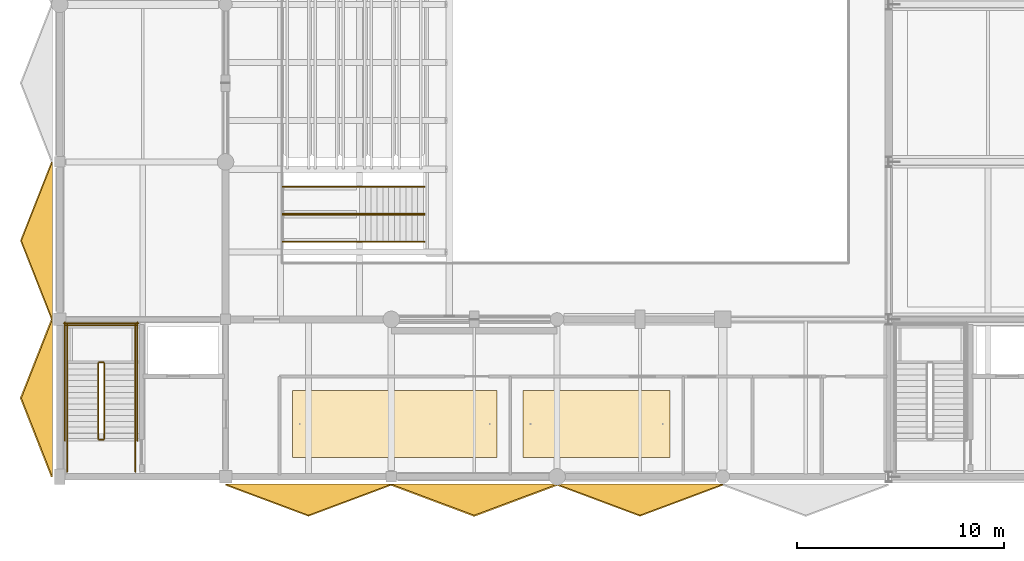
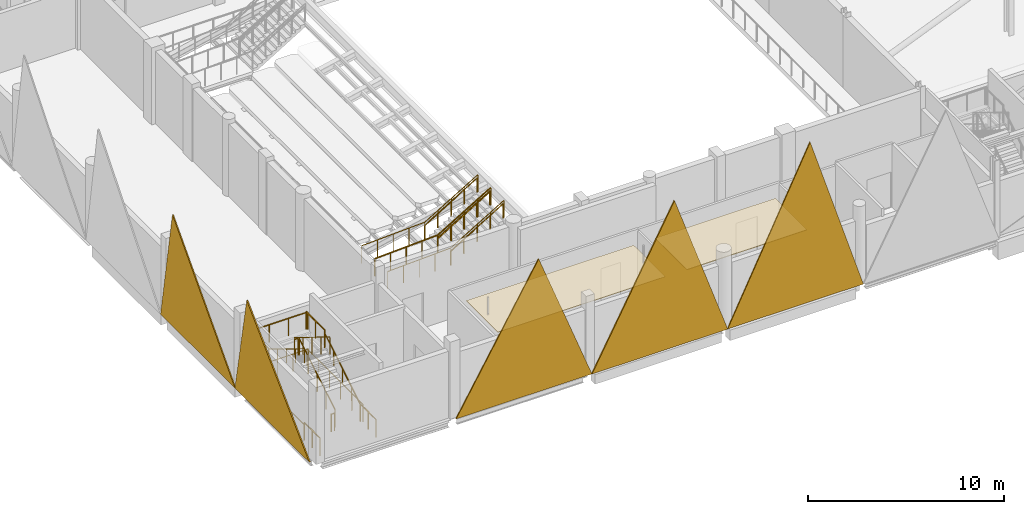
# One storey, part 127 of 141: 22 railings, 7 coverings.
"""IFC4 building model written with IfcOpenShell, lengths in metres."""

from ifc_helpers import new_model, si_unit, direction, frame, origin, origin_2d, place, context, subcontext, project, spatial, polyline, circle, outline, extrude, material, layer, layer_set, type_object, element, save


model = new_model("IFC4")

# Units and contexts
model_context = context("Model", 3, precision=1e-05, world=origin(), true_north=direction((0.0, 1.0)))
body_context = subcontext(model_context, "Body", "Model", "MODEL_VIEW")
ifc_project = project(units=[si_unit("LENGTHUNIT", "METRE"), si_unit("AREAUNIT", "SQUARE_METRE"), si_unit("VOLUMEUNIT", "CUBIC_METRE"), si_unit("PLANEANGLEUNIT", "RADIAN"), si_unit("MASSUNIT", "GRAM", prefix="KILO")], contexts=[model_context])

# Site, building, storey
site_placement = place(None, origin())
site = spatial("IfcSite", under=ifc_project, at=site_placement, CompositionType="ELEMENT")
building_placement = place(site_placement, origin())
building = spatial("IfcBuilding", under=site, at=building_placement, Name="Khelvaren Railside Concert Hall", CompositionType="ELEMENT")
storey_placement = place(building_placement, frame((0.0, 0.0, 10.199951171875)))
storey = spatial("IfcBuildingStorey", under=building, at=storey_placement, Name="L02", CompositionType="ELEMENT", Elevation=10.199951171875)

# Coverings
ifc_material_1 = material(Name="Precast architectural concrete C45/55", Category="concrete")
ifc_layer_1 = layer(ifc_material_1, 0.06005859375)
ifc_layer_set_1 = layer_set([ifc_layer_1], Name="Precast architectural concrete C45/55")
covering_type_1 = type_object("IfcCoveringType", Name="CLD31", PredefinedType="CLADDING", material=ifc_layer_set_1)
covering_1_placement = place(storey_placement, frame((8.0, -0.35498046875, 0.0), z_axis=(0.0, 0.987767094145, 0.15593642206), x_axis=(1.0, 0.0, 0.0)))
element("IfcCovering", 1, at=covering_1_placement, inside=storey, type_object=covering_type_1, Name="Main Hall Cut-Crystal Lower Facet S-2", PredefinedType="CLADDING", context=body_context, shape_type="SweptSolid", body=[
    extrude(outline(polyline([(0.0, 0.0), (8.0, 0.0), (4.0, -9.58799213006783), (0.0, 0.0)])), origin(), (0.0, 0.0, -1.0), 0.06005859375),
])
covering_2_placement = place(storey_placement, frame((24.0, -0.35498046875, 0.0), z_axis=(0.0, 0.991125998489, 0.1329257504), x_axis=(1.0, 0.0, 0.0)))
element("IfcCovering", 2, at=covering_2_placement, inside=storey, type_object=covering_type_1, Name="Main Hall Cut-Crystal Lower Facet S-4", PredefinedType="CLADDING", context=body_context, shape_type="SweptSolid", body=[
    extrude(outline(polyline([(0.0, 0.0), (8.0, 0.0), (4.0, -11.247761874621398), (0.0, 0.0)])), origin(), (0.0, 0.0, -1.0), 0.06005859375),
])
covering_3_placement = place(storey_placement, frame((-0.35498046875, 7.60009765625, 0.0), z_axis=(0.986559998498, 0.0, 0.163399416655), x_axis=(0.0, 1.0, 0.0)))
element("IfcCovering", 3, at=covering_3_placement, inside=storey, type_object=covering_type_1, Name="Main Hall Cut-Crystal West Lower Facet 2", PredefinedType="CLADDING", context=body_context, shape_type="SweptSolid", body=[
    extrude(outline(polyline([(0.0, 0.0), (7.599853515625, 0.0), (3.7998046875, 9.150076653336637), (0.0, 0.0)])), origin(), (0.0, 0.0, -1.0), 0.06005859375),
])
ifc_material_2 = material(Name="Board-marked precast concrete C45/55", Category="concrete")
ifc_layer_2 = layer(ifc_material_2, 0.070068359375)
ifc_layer_set_2 = layer_set([ifc_layer_2], Name="Board-marked precast concrete C45/55")
covering_type_2 = type_object("IfcCoveringType", Name="CLD68", PredefinedType="CLADDING", material=ifc_layer_set_2)
covering_4_placement = place(storey_placement, frame((16.0, -0.35498046875, 0.0), z_axis=(0.0, 0.989646805502, 0.143524215239), x_axis=(1.0, 0.0, 0.0)))
element("IfcCovering", 4, at=covering_4_placement, inside=storey, type_object=covering_type_2, Name="Main Hall Cut-Crystal Lower Facet S-3", PredefinedType="CLADDING", context=body_context, shape_type="SweptSolid", body=[
    extrude(outline(polyline([(0.0, 0.0), (8.0, 0.0), (4.0, -10.417177233899055), (0.0, 0.0)])), origin(), (0.0, 0.0, -1.0), 0.070068359375),
])
covering_5_placement = place(storey_placement, frame((-0.35498046875, 0.0, 0.0), z_axis=(0.98416040149, 0.0, 0.177280298224), x_axis=(0.0, 1.0, 0.0)))
element("IfcCovering", 5, at=covering_5_placement, inside=storey, type_object=covering_type_2, Name="Main Hall Cut-Crystal West Lower Facet 1", PredefinedType="CLADDING", context=body_context, shape_type="SweptSolid", body=[
    extrude(outline(polyline([(0.0, 0.0), (7.60009765625, 0.0), (3.800048828125, 8.433634207956679), (0.0, 0.0)])), origin(), (0.0, 0.0, -1.0), 0.070068359375),
])
ifc_material_3 = material(Name="Mineral-wool acoustic baffle ceiling", Category="gypsum")
ifc_layer_3 = layer(ifc_material_3, 0.0400390625)
ifc_layer_set_3 = layer_set([ifc_layer_3], Name="Mineral-wool acoustic baffle ceiling")
covering_type_3 = type_object("IfcCoveringType", Name="CLG20", PredefinedType="CEILING", material=ifc_layer_set_3)
covering_6_placement = place(storey_placement, frame((0.0, 0.0, 3.41015625)))
element("IfcCovering", 6, at=covering_6_placement, inside=storey, type_object=covering_type_3, Name="Suspended Acoustic Ceiling Symphonic Listening Archive Booth", PredefinedType="CEILING", context=body_context, shape_type="SweptSolid", body=[
    extrude(outline(polyline([(22.364013671875, 0.929931640625), (29.455078125, 0.929931640625), (29.455078125, 4.169921875), (22.364013671875, 4.169921875), (22.364013671875, 0.929931640625)])), origin(), (0.0, 0.0, 1.0), 0.039794921875),
])
ifc_material_4 = material(Name="Micro-perforated timber acoustic ceiling", Category="wood")
ifc_layer_4 = layer(ifc_material_4, 0.030029296875)
ifc_layer_set_4 = layer_set([ifc_layer_4], Name="Micro-perforated timber acoustic ceiling")
covering_type_4 = type_object("IfcCoveringType", Name="CLG77", PredefinedType="CEILING", material=ifc_layer_set_4)
covering_7_placement = place(storey_placement, frame((0.0, 0.0, 3.420166015625)))
element("IfcCovering", 7, at=covering_7_placement, inside=storey, type_object=covering_type_4, Name="Suspended Acoustic Ceiling Upper Gallery Sky Bar", PredefinedType="CEILING", context=body_context, shape_type="SweptSolid", body=[
    extrude(outline(polyline([(11.22998046875, 0.929931640625), (21.10400390625, 0.929931640625), (21.10400390625, 4.169921875), (11.22998046875, 4.169921875), (11.22998046875, 0.929931640625)])), origin(), (0.0, 0.0, 1.0), 0.02978515625),
])

# Railings
ifc_material_5 = material(Name="Painted architectural steel", Category="steel")
railing_type_1 = type_object("IfcRailingType", Name="GRD86", PredefinedType="GUARDRAIL", material=ifc_material_5)
railing_1_placement = place(storey_placement, frame((2.14990234375, 1.840087890625, 0.17138671875)))
element("IfcRailing", 8, at=railing_1_placement, inside=storey, type_object=railing_type_1, Name="L02 ST-01 stair guard 1", PredefinedType="GUARDRAIL", context=body_context, shape_type="SweptSolid", body=[
    extrude(circle(Radius=0.02392578125, at=origin_2d()), frame((0.0, 0.0, 1.076171875), z_axis=(0.0, 0.852824790078, 0.522197163366), x_axis=(-1.0, 0.0, 0.0)), (0.0, 0.0, 1.0), 4.26806640625),
    extrude(circle(Radius=0.02099609375, at=origin_2d()), origin(), (0.0, 0.0, 1.0), 1.052001953125),
    extrude(circle(Radius=0.02099609375, at=origin_2d()), frame((0.0, 0.909912109375, 0.55712890625)), (0.0, 0.0, 1.0), 1.052001953125),
    extrude(circle(Radius=0.02099609375, at=origin_2d()), frame((0.0, 1.81982421875, 1.1142578125)), (0.0, 0.0, 1.0), 1.052001953125),
    extrude(circle(Radius=0.02099609375, at=origin_2d()), frame((0.0, 2.72998046875, 1.671630859375)), (0.0, 0.0, 1.0), 1.052001953125),
    extrude(circle(Radius=0.02099609375, at=origin_2d()), frame((0.0, 3.639892578125, 2.228759765625)), (0.0, 0.0, 1.0), 1.052001953125),
])
railing_2_placement = place(storey_placement, frame((2.10009765625, 5.530029296875, 2.400146484375)))
element("IfcRailing", 9, at=railing_2_placement, inside=storey, type_object=railing_type_1, Name="L02 ST-01 stair guard 2", PredefinedType="GUARDRAIL", context=body_context, shape_type="SweptSolid", body=[
    extrude(circle(Radius=0.02392578125, at=origin_2d()), frame((0.0, 0.0, 1.076171875), z_axis=(-1.0, 0.0, 0.0), x_axis=(0.0, -1.0, 0.0)), (0.0, 0.0, 1.0), 0.2001953125),
    extrude(circle(Radius=0.02099609375, at=origin_2d()), origin(), (0.0, 0.0, 1.0), 1.052001953125),
    extrude(circle(Radius=0.02099609375, at=origin_2d()), frame((-0.2001953125, 0.0, 0.0)), (0.0, 0.0, 1.0), 1.052001953125),
])
for number, where, name in (
    (10, (3.64990234375, 5.47998046875, 2.400146484375), "L02 ST-01 stair guard 3"),
    (11, (0.35009765625, 5.47998046875, 2.400146484375), "L02 ST-01 stair guard 4"),
):
    element("IfcRailing", number, at=place(storey_placement, frame(where)), inside=storey, type_object=railing_type_1, Name=name, PredefinedType="GUARDRAIL", context=body_context, shape_type="SweptSolid", body=[
        extrude(circle(Radius=0.02392578125, at=origin_2d()), frame((0.0, 0.0, 1.076171875), z_axis=(0.0, 1.0, 0.0), x_axis=(-1.0, 0.0, 0.0)), (0.0, 0.0, 1.0), 1.880126953125),
        extrude(circle(Radius=0.02099609375, at=origin_2d()), origin(), (0.0, 0.0, 1.0), 1.052001953125),
        extrude(circle(Radius=0.02099609375, at=origin_2d()), frame((0.0, 0.93994140625, 0.0)), (0.0, 0.0, 1.0), 1.052001953125),
        extrude(circle(Radius=0.02099609375, at=origin_2d()), frame((0.0, 1.880126953125, 0.0)), (0.0, 0.0, 1.0), 1.052001953125),
    ])
railing_3_placement = place(storey_placement, frame((3.699951171875, 7.31005859375, 2.400146484375)))
element("IfcRailing", 12, at=railing_3_placement, inside=storey, type_object=railing_type_1, Name="L02 ST-01 stair guard 5", PredefinedType="GUARDRAIL", context=body_context, shape_type="SweptSolid", body=[
    extrude(circle(Radius=0.02392578125, at=origin_2d()), frame((0.0, 0.0, 1.076171875), z_axis=(-1.0, 0.0, 0.0), x_axis=(0.0, -1.0, 0.0)), (0.0, 0.0, 1.0), 3.39990234375),
    extrude(circle(Radius=0.02099609375, at=origin_2d()), origin(), (0.0, 0.0, 1.0), 1.052001953125),
    extrude(circle(Radius=0.02099609375, at=origin_2d()), frame((-1.13330078125, 0.0, 0.0)), (0.0, 0.0, 1.0), 1.052001953125),
    extrude(circle(Radius=0.02099609375, at=origin_2d()), frame((-2.2666015625, 0.0, 0.0)), (0.0, 0.0, 1.0), 1.052001953125),
    extrude(circle(Radius=0.02099609375, at=origin_2d()), frame((-3.39990234375, 0.0, 0.0)), (0.0, 0.0, 1.0), 1.052001953125),
])
railing_4_placement = place(storey_placement, frame((1.85009765625, 5.47998046875, 2.571533203125)))
element("IfcRailing", 13, at=railing_4_placement, inside=storey, type_object=railing_type_1, Name="L02 ST-01 stair guard 6", PredefinedType="GUARDRAIL", context=body_context, shape_type="SweptSolid", body=[
    extrude(circle(Radius=0.02392578125, at=origin_2d()), frame((0.0, 0.0, 1.076171875), z_axis=(0.0, -0.852850264322, 0.5221555579), x_axis=(1.0, 0.0, 0.0)), (0.0, 0.0, 1.0), 4.267822265625),
    extrude(circle(Radius=0.02099609375, at=origin_2d()), origin(), (0.0, 0.0, 1.0), 1.052001953125),
    extrude(circle(Radius=0.02099609375, at=origin_2d()), frame((0.0, -0.909912109375, 0.55712890625)), (0.0, 0.0, 1.0), 1.052001953125),
    extrude(circle(Radius=0.02099609375, at=origin_2d()), frame((0.0, -1.81982421875, 1.1142578125)), (0.0, 0.0, 1.0), 1.052001953125),
    extrude(circle(Radius=0.02099609375, at=origin_2d()), frame((0.0, -2.72998046875, 1.67138671875)), (0.0, 0.0, 1.0), 1.052001953125),
    extrude(circle(Radius=0.02099609375, at=origin_2d()), frame((0.0, -3.639892578125, 2.228515625)), (0.0, 0.0, 1.0), 1.052001953125),
])
railing_5_placement = place(storey_placement, frame((2.10009765625, 1.7900390625, 0.0)))
element("IfcRailing", 14, at=railing_5_placement, inside=storey, type_object=railing_type_1, Name="L02 ST-01 stair guard 7", PredefinedType="GUARDRAIL", context=body_context, shape_type="SweptSolid", body=[
    extrude(circle(Radius=0.02392578125, at=origin_2d()), frame((0.0, 0.0, 1.076171875), z_axis=(-1.0, 0.0, 0.0), x_axis=(0.0, -1.0, 0.0)), (0.0, 0.0, 1.0), 0.2001953125),
    extrude(circle(Radius=0.02099609375, at=origin_2d()), origin(), (0.0, 0.0, 1.0), 1.052001953125),
    extrude(circle(Radius=0.02099609375, at=origin_2d()), frame((-0.2001953125, 0.0, 0.0)), (0.0, 0.0, 1.0), 1.052001953125),
])
for number, where, name in (
    (15, (3.64990234375, 0.239990234375, 0.0), "L02 ST-01 stair guard 8"),
    (16, (0.35009765625, 0.239990234375, 0.0), "L02 ST-01 stair guard 9"),
):
    element("IfcRailing", number, at=place(storey_placement, frame(where)), inside=storey, type_object=railing_type_1, Name=name, PredefinedType="GUARDRAIL", context=body_context, shape_type="SweptSolid", body=[
        extrude(circle(Radius=0.02392578125, at=origin_2d()), frame((0.0, 0.0, 1.076171875), z_axis=(0.0, 1.0, 0.0), x_axis=(-1.0, 0.0, 0.0)), (0.0, 0.0, 1.0), 1.60009765625),
        extrude(circle(Radius=0.02099609375, at=origin_2d()), origin(), (0.0, 0.0, 1.0), 1.052001953125),
        extrude(circle(Radius=0.02099609375, at=origin_2d()), frame((0.0, 0.800048828125, 0.0)), (0.0, 0.0, 1.0), 1.052001953125),
        extrude(circle(Radius=0.02099609375, at=origin_2d()), frame((0.0, 1.60009765625, 0.0)), (0.0, 0.0, 1.0), 1.052001953125),
    ])
for number, where, name in (
    (17, (3.75, 1.739990234375, 0.0), "L02 ST-01 stair guard 10"),
    (18, (0.25, 1.739990234375, 0.0), "L02 ST-01 stair guard 11"),
):
    element("IfcRailing", number, at=place(storey_placement, frame(where)), inside=storey, type_object=railing_type_1, Name=name, PredefinedType="GUARDRAIL", context=body_context, shape_type="SweptSolid", body=[
        extrude(circle(Radius=0.02392578125, at=origin_2d()), frame((0.0, 0.0, 1.076171875), z_axis=(0.0, 1.0, 0.0), x_axis=(-1.0, 0.0, 0.0)), (0.0, 0.0, 1.0), 5.719970703125),
        extrude(circle(Radius=0.02099609375, at=origin_2d()), origin(), (0.0, 0.0, 1.0), 1.052001953125),
        extrude(circle(Radius=0.02099609375, at=origin_2d()), frame((0.0, 1.14404296875, 0.0)), (0.0, 0.0, 1.0), 1.052001953125),
        extrude(circle(Radius=0.02099609375, at=origin_2d()), frame((0.0, 2.2880859375, 0.0)), (0.0, 0.0, 1.0), 1.052001953125),
        extrude(circle(Radius=0.02099609375, at=origin_2d()), frame((0.0, 3.431884765625, 0.0)), (0.0, 0.0, 1.0), 1.052001953125),
        extrude(circle(Radius=0.02099609375, at=origin_2d()), frame((0.0, 4.575927734375, 0.0)), (0.0, 0.0, 1.0), 1.052001953125),
        extrude(circle(Radius=0.02099609375, at=origin_2d()), frame((0.0, 5.719970703125, 0.0)), (0.0, 0.0, 1.0), 1.052001953125),
    ])
railing_6_placement = place(storey_placement, frame((3.800048828125, 7.409912109375, 0.0)))
element("IfcRailing", 19, at=railing_6_placement, inside=storey, type_object=railing_type_1, Name="L02 ST-01 stair guard 12", PredefinedType="GUARDRAIL", context=body_context, shape_type="SweptSolid", body=[
    extrude(circle(Radius=0.02392578125, at=origin_2d()), frame((0.0, 0.0, 1.076171875), z_axis=(-1.0, 0.0, 0.0), x_axis=(0.0, -1.0, 0.0)), (0.0, 0.0, 1.0), 3.60009765625),
    extrude(circle(Radius=0.02099609375, at=origin_2d()), origin(), (0.0, 0.0, 1.0), 1.052001953125),
    extrude(circle(Radius=0.02099609375, at=origin_2d()), frame((-0.89990234375, 0.0, 0.0)), (0.0, 0.0, 1.0), 1.052001953125),
    extrude(circle(Radius=0.02099609375, at=origin_2d()), frame((-1.800048828125, 0.0, 0.0)), (0.0, 0.0, 1.0), 1.052001953125),
    extrude(circle(Radius=0.02099609375, at=origin_2d()), frame((-2.7001953125, 0.0, 0.0)), (0.0, 0.0, 1.0), 1.052001953125),
    extrude(circle(Radius=0.02099609375, at=origin_2d()), frame((-3.60009765625, 0.0, 0.0)), (0.0, 0.0, 1.0), 1.052001953125),
])
for number, where, name in (
    (20, (10.75, 11.35009765625, 0.0), "Vomitory Guardrail ST-21-L"),
    (21, (10.75, 12.64990234375, 0.0), "Vomitory Guardrail ST-21-R"),
    (22, (10.75, 12.699951171875, 0.0), "Vomitory Guardrail ST-22-L"),
    (23, (10.75, 14.0, 0.0), "Vomitory Guardrail ST-22-R"),
):
    element("IfcRailing", number, at=place(storey_placement, frame(where)), inside=storey, type_object=railing_type_1, Name=name, PredefinedType="GUARDRAIL", context=body_context, shape_type="SweptSolid", body=[
        extrude(circle(Radius=0.02392578125, at=origin_2d()), frame((0.0, 0.0, 1.076171875), z_axis=(0.998955386328, 0.0, 0.045696128127), x_axis=(0.0, 1.0, 0.0)), (0.0, 0.0, 1.0), 3.723876953125),
        extrude(circle(Radius=0.02392578125, at=origin_2d()), frame((3.719970703125, 0.0, 1.24609375), z_axis=(0.858483901645, 0.0, 0.512840511871), x_axis=(0.0, 1.0, 0.0)), (0.0, 0.0, 1.0), 3.64599609375),
        extrude(circle(Radius=0.02099609375, at=origin_2d()), origin(), (0.0, 0.0, 1.0), 1.052001953125),
        extrude(circle(Radius=0.02099609375, at=origin_2d()), frame((0.929931640625, 0.0, 0.04248046875)), (0.0, 0.0, 1.0), 1.052001953125),
        extrude(circle(Radius=0.02099609375, at=origin_2d()), frame((1.85986328125, 0.0, 0.0849609375)), (0.0, 0.0, 1.0), 1.052001953125),
        extrude(circle(Radius=0.02099609375, at=origin_2d()), frame((2.7900390625, 0.0, 0.127685546875)), (0.0, 0.0, 1.0), 1.052001953125),
        extrude(circle(Radius=0.02099609375, at=origin_2d()), frame((3.719970703125, 0.0, 0.170166015625)), (0.0, 0.0, 1.0), 1.052001953125),
        extrude(circle(Radius=0.02099609375, at=origin_2d()), frame((4.50244140625, 0.0, 0.6376953125)), (0.0, 0.0, 1.0), 1.052001953125),
        extrude(circle(Radius=0.02099609375, at=origin_2d()), frame((5.28515625, 0.0, 1.10498046875)), (0.0, 0.0, 1.0), 1.052001953125),
        extrude(circle(Radius=0.02099609375, at=origin_2d()), frame((6.067626953125, 0.0, 1.572509765625)), (0.0, 0.0, 1.0), 1.052001953125),
        extrude(circle(Radius=0.02099609375, at=origin_2d()), frame((6.85009765625, 0.0, 2.0400390625)), (0.0, 0.0, 1.0), 1.052001953125),
    ])
ifc_material_6 = material(Name="Brushed stainless steel Grade 316", Category="steel")
railing_type_2 = type_object("IfcRailingType", Name="HRL59", PredefinedType="HANDRAIL", material=ifc_material_6)
railing_7_placement = place(storey_placement, frame((3.64990234375, 1.840087890625, 0.17138671875)))
element("IfcRailing", 24, at=railing_7_placement, inside=storey, type_object=railing_type_2, Name="L02 ST-01 stair handrail 1", PredefinedType="HANDRAIL", context=body_context, shape_type="SweptSolid", body=[
    extrude(circle(Radius=0.02392578125, at=origin_2d()), frame((0.0, 0.0, 0.8759765625), z_axis=(0.0, 0.852824790078, 0.522197163366), x_axis=(-1.0, 0.0, 0.0)), (0.0, 0.0, 1.0), 4.26806640625),
    extrude(circle(Radius=0.02099609375, at=origin_2d()), origin(), (0.0, 0.0, 1.0), 0.851806640625),
    extrude(circle(Radius=0.02099609375, at=origin_2d()), frame((0.0, 0.909912109375, 0.55712890625)), (0.0, 0.0, 1.0), 0.851806640625),
    extrude(circle(Radius=0.02099609375, at=origin_2d()), frame((0.0, 1.81982421875, 1.1142578125)), (0.0, 0.0, 1.0), 0.851806640625),
    extrude(circle(Radius=0.02099609375, at=origin_2d()), frame((0.0, 2.72998046875, 1.671630859375)), (0.0, 0.0, 1.0), 0.851806640625),
    extrude(circle(Radius=0.02099609375, at=origin_2d()), frame((0.0, 3.639892578125, 2.228759765625)), (0.0, 0.0, 1.0), 0.851806640625),
])
railing_8_placement = place(storey_placement, frame((0.35009765625, 5.47998046875, 2.571533203125)))
element("IfcRailing", 25, at=railing_8_placement, inside=storey, type_object=railing_type_2, Name="L02 ST-01 stair handrail 2", PredefinedType="HANDRAIL", context=body_context, shape_type="SweptSolid", body=[
    extrude(circle(Radius=0.02392578125, at=origin_2d()), frame((0.0, 0.0, 0.8759765625), z_axis=(0.0, -0.852850264322, 0.5221555579), x_axis=(1.0, 0.0, 0.0)), (0.0, 0.0, 1.0), 4.267822265625),
    extrude(circle(Radius=0.02099609375, at=origin_2d()), origin(), (0.0, 0.0, 1.0), 0.851806640625),
    extrude(circle(Radius=0.02099609375, at=origin_2d()), frame((0.0, -0.909912109375, 0.55712890625)), (0.0, 0.0, 1.0), 0.851806640625),
    extrude(circle(Radius=0.02099609375, at=origin_2d()), frame((0.0, -1.81982421875, 1.1142578125)), (0.0, 0.0, 1.0), 0.851806640625),
    extrude(circle(Radius=0.02099609375, at=origin_2d()), frame((0.0, -2.72998046875, 1.67138671875)), (0.0, 0.0, 1.0), 0.851806640625),
    extrude(circle(Radius=0.02099609375, at=origin_2d()), frame((0.0, -3.639892578125, 2.228515625)), (0.0, 0.0, 1.0), 0.851806640625),
])
for number, where, name in (
    (26, (14.469970703125, 11.35009765625, 0.170166015625), "Vomitory Pitch Handrail ST-21-L"),
    (27, (14.469970703125, 12.64990234375, 0.170166015625), "Vomitory Pitch Handrail ST-21-R"),
    (28, (14.469970703125, 12.699951171875, 0.170166015625), "Vomitory Pitch Handrail ST-22-L"),
    (29, (14.469970703125, 14.0, 0.170166015625), "Vomitory Pitch Handrail ST-22-R"),
):
    element("IfcRailing", number, at=place(storey_placement, frame(where)), inside=storey, type_object=railing_type_2, Name=name, PredefinedType="HANDRAIL", context=body_context, shape_type="SweptSolid", body=[
        extrude(circle(Radius=0.02392578125, at=origin_2d()), frame((0.0, 0.0, 0.8759765625), z_axis=(0.854808984221, 0.0, 0.518942771889), x_axis=(0.0, 1.0, 0.0)), (0.0, 0.0, 1.0), 3.603271484375),
        extrude(circle(Radius=0.02099609375, at=origin_2d()), origin(), (0.0, 0.0, 1.0), 0.851806640625),
        extrude(circle(Radius=0.02099609375, at=origin_2d()), frame((0.77001953125, 0.0, 0.467529296875)), (0.0, 0.0, 1.0), 0.851806640625),
        extrude(circle(Radius=0.02099609375, at=origin_2d()), frame((1.5400390625, 0.0, 0.93505859375)), (0.0, 0.0, 1.0), 0.851806640625),
        extrude(circle(Radius=0.02099609375, at=origin_2d()), frame((2.31005859375, 0.0, 1.40234375)), (0.0, 0.0, 1.0), 0.851806640625),
        extrude(circle(Radius=0.02099609375, at=origin_2d()), frame((3.080078125, 0.0, 1.869873046875)), (0.0, 0.0, 1.0), 0.851806640625),
    ])

save(model, "model.ifc")
